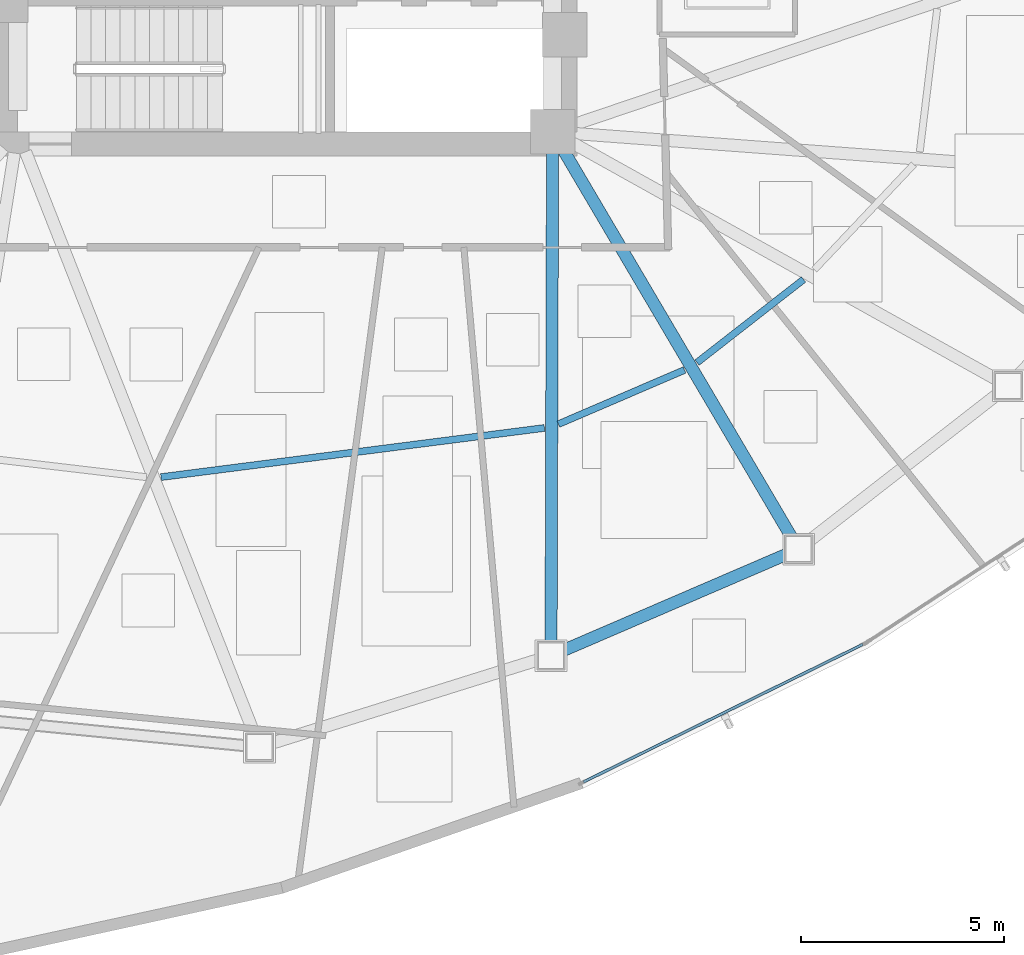
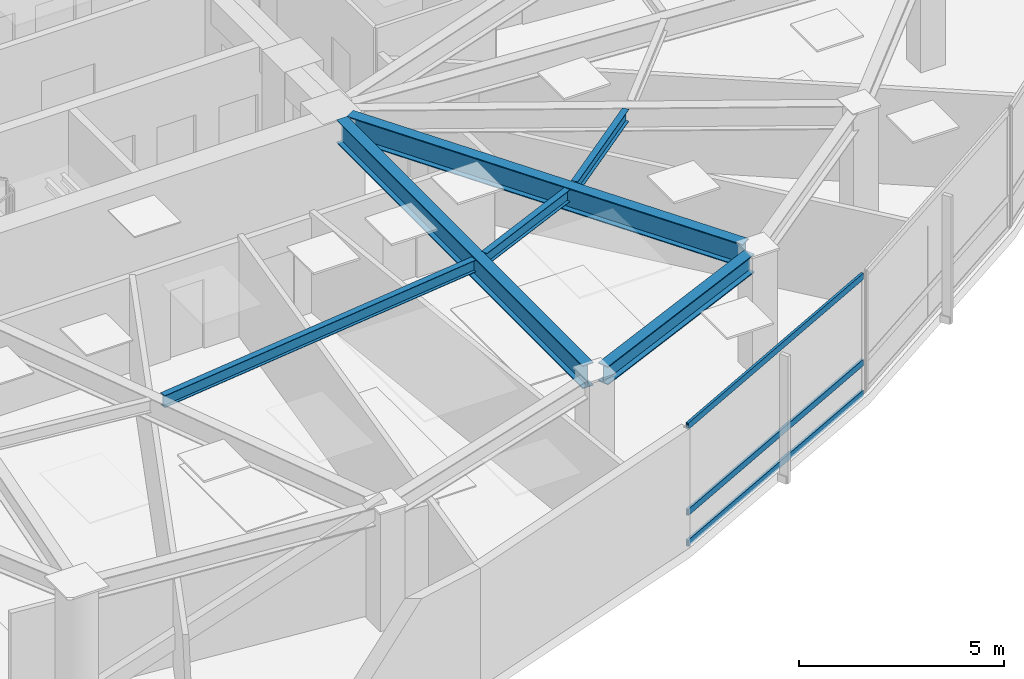
# One storey, part 3 of 18: 6 beams, 3 members, 1 element without a shape of its own.
"""IFC4 building model written with IfcOpenShell, lengths in metres."""

from ifc_helpers import new_model, si_unit, direction, frame, origin, origin_2d, place, context, subcontext, project, spatial, hollow_rectangle, i_section, extrude, source, transform, mapped, material, layer, layer_set, material_profile, profile_set, type_object, type_shapes, element, aggregate, save


model = new_model("IFC4")

# Units and contexts
model_context = context("Model", 3, precision=1e-05, world=origin(), true_north=direction((0.0, 1.0)))
body_context = subcontext(model_context, "Body", "Model", "MODEL_VIEW")
ifc_project = project(units=[si_unit("LENGTHUNIT", "METRE"), si_unit("AREAUNIT", "SQUARE_METRE"), si_unit("VOLUMEUNIT", "CUBIC_METRE"), si_unit("PLANEANGLEUNIT", "RADIAN"), si_unit("MASSUNIT", "GRAM", prefix="KILO")], contexts=[model_context])

# Site, building, storey
site_placement = place(None, origin())
site = spatial("IfcSite", under=ifc_project, at=site_placement, CompositionType="ELEMENT")
building_placement = place(site_placement, origin())
building = spatial("IfcBuilding", under=site, at=building_placement, Name="Tavelor Broadcast Tower", CompositionType="ELEMENT")
storey_placement = place(building_placement, frame((0.0, 0.0, 157.949951171875)))
storey = spatial("IfcBuildingStorey", under=building, at=storey_placement, Name="L37", CompositionType="ELEMENT", Elevation=157.949951171875)

# Beams
ifc_material_1 = material(Name="Steel S355", Category="steel")
ifc_material_profile_1 = material_profile(ifc_material_1, i_section(OverallWidth=0.169921875, OverallDepth=0.360107421875, WebThickness=0.008056640625, FlangeThickness=0.0126953125, at=origin_2d()), Name="IPE 360")
ifc_profile_set_1 = profile_set([ifc_material_profile_1], Name="Steel S355")
beam_type_1 = type_object("IfcBeamType", Name="Composite Floor Joist T3 IPE 360", PredefinedType="JOIST", material=ifc_profile_set_1)
beam_1_placement = place(storey_placement, frame((46.93701171875, 30.280517578125, 3.3701171875), z_axis=(0.991879926303, 0.12717787464, 0.0), x_axis=(-0.12717787464, 0.991879926303, 0.0)))
element("IfcBeam", 1, at=beam_1_placement, inside=storey, type_object=beam_type_1, Name="L37 Secondary Composite Floor Joist 08", PredefinedType="JOIST", context=body_context, shape_type="SweptSolid", body=[
    extrude(i_section(OverallWidth=0.169921875, OverallDepth=0.360107421875, WebThickness=0.008056640625, FlangeThickness=0.0126953125, at=origin_2d()), origin(), (0.0, 0.0, 1.0), 9.538818359375),
])
beam_2_placement = place(storey_placement, frame((56.744384765625, 31.588134765625, 3.3701171875), z_axis=(0.918816463589, 0.394685072225, 0.0), x_axis=(-0.394685072225, 0.918816463589, 0.0)))
element("IfcBeam", 2, at=beam_2_placement, inside=storey, type_object=beam_type_1, Name="L37 Secondary Composite Floor Joist 09", PredefinedType="JOIST", context=body_context, shape_type="SweptSolid", body=[
    extrude(i_section(OverallWidth=0.169921875, OverallDepth=0.360107421875, WebThickness=0.008056640625, FlangeThickness=0.0126953125, at=origin_2d()), origin(), (0.0, 0.0, 1.0), 3.385498046875),
])
beam_3_placement = place(storey_placement, frame((60.163818359375, 33.107177734375, 3.3701171875), z_axis=(0.788471752191, 0.615070968261, 0.0), x_axis=(-0.615070968261, 0.788471752191, 0.0)))
element("IfcBeam", 3, at=beam_3_placement, inside=storey, type_object=beam_type_1, Name="L37 Secondary Composite Floor Joist 10", PredefinedType="JOIST", context=body_context, shape_type="SweptSolid", body=[
    extrude(i_section(OverallWidth=0.169921875, OverallDepth=0.360107421875, WebThickness=0.008056640625, FlangeThickness=0.0126953125, at=origin_2d()), origin(), (0.0, 0.0, 1.0), 3.33251953125),
])
ifc_material_profile_2 = material_profile(ifc_material_1, i_section(OverallWidth=0.300048828125, OverallDepth=0.550048828125, WebThickness=0.014892578125, FlangeThickness=0.029052734375, at=origin_2d()), Name="HEB 550")
ifc_profile_set_2 = profile_set([ifc_material_profile_2], Name="Steel S355")
beam_type_2 = type_object("IfcBeamType", Name="Perimeter Spandrel Beam T3 HEB 550", PredefinedType="SPANDREL", material=ifc_profile_set_2)
beam_4_placement = place(storey_placement, frame((56.86962890625, 26.005615234375, 3.275146484375), z_axis=(0.918448679011, 0.395540167396, 0.0), x_axis=(-0.395540167396, 0.918448679011, 0.0)))
element("IfcBeam", 4, at=beam_4_placement, inside=storey, type_object=beam_type_2, Name="L37 Framed-Tube Ring Spandrel 09", PredefinedType="SPANDREL", context=body_context, shape_type="SweptSolid", body=[
    extrude(i_section(OverallWidth=0.300048828125, OverallDepth=0.550048828125, WebThickness=0.014892578125, FlangeThickness=0.029052734375, at=origin_2d()), origin(), (0.0, 0.0, 1.0), 5.978515625),
])
ifc_material_profile_3 = material_profile(ifc_material_1, i_section(OverallWidth=0.300048828125, OverallDepth=0.68994140625, WebThickness=0.014404296875, FlangeThickness=0.027099609375, at=origin_2d()), Name="HEA 700")
ifc_profile_set_3 = profile_set([ifc_material_profile_3], Name="Steel S355")
beam_type_3 = type_object("IfcBeamType", Name="Radial Floor Girder T3 HEA 700", PredefinedType="BEAM", material=ifc_profile_set_3)
beam_5_placement = place(storey_placement, frame((56.598388671875, 38.27197265625, 3.205078125), z_axis=(-0.003015509149, -0.999995453342, 0.0), x_axis=(0.999995453342, -0.003015509149, 0.0)))
element("IfcBeam", 5, at=beam_5_placement, inside=storey, type_object=beam_type_3, Name="L37 Radial Primary Floor Girder 09", PredefinedType="BEAM", context=body_context, shape_type="SweptSolid", body=[
    extrude(i_section(OverallWidth=0.300048828125, OverallDepth=0.68994140625, WebThickness=0.014404296875, FlangeThickness=0.027099609375, at=origin_2d()), origin(), (0.0, 0.0, 1.0), 12.063232421875),
])
beam_6_placement = place(storey_placement, frame((56.8681640625, 38.34521484375, 3.205078125), z_axis=(0.507774310592, -0.861490133143, 0.0), x_axis=(0.861490133143, 0.507774310592, 0.0)))
element("IfcBeam", 6, at=beam_6_placement, inside=storey, type_object=beam_type_3, Name="L37 Radial Primary Floor Girder 10", PredefinedType="BEAM", context=body_context, shape_type="SweptSolid", body=[
    extrude(i_section(OverallWidth=0.300048828125, OverallDepth=0.68994140625, WebThickness=0.014404296875, FlangeThickness=0.027099609375, at=origin_2d()), origin(), (0.0, 0.0, 1.0), 11.08837890625),
])

# Curtain wall, members
ifc_material_2 = material(Name="Architectural Anodized Aluminium", Category="aluminium")
ifc_layer = layer(ifc_material_2, 0.18994140625)
ifc_layer_set = layer_set([ifc_layer], Name="Architectural Anodized Aluminium")
curtain_wall_type = type_object("IfcCurtainWallType", Name="Tower Mid-Zone Acoustic Curtain Wall CW03", PredefinedType="NOTDEFINED", material=ifc_layer_set)
curtain_wall_placement = place(storey_placement, origin())
curtain_wall = element("IfcCurtainWall", 7, at=curtain_wall_placement, inside=storey, type_object=curtain_wall_type, Name="L37 Curtain Wall CW03 Run 389", PredefinedType="NOTDEFINED")
ifc_material_profile_4 = material_profile(ifc_material_2, hollow_rectangle(XDim=0.068115234375, YDim=0.18994140625, WallThickness=0.02197265625, at=origin_2d()), Name="RHS 68x190x22")
ifc_profile_set_4 = profile_set([ifc_material_profile_4], Name="Architectural Anodized Aluminium")
member_type = type_object("IfcMemberType", Name="CW03 Extruded Aluminium Transom 68x190", PredefinedType="USERDEFINED", material=ifc_profile_set_4)
shared_shape = source(origin(), body_context, "Body", "SweptSolid", [
    extrude(hollow_rectangle(XDim=0.068115234375, YDim=0.18994140625, WallThickness=0.02197265625, at=origin_2d()), origin(), (0.0, 0.0, 1.0), 7.683349609375),
])
type_shapes(member_type, [shared_shape])
member_1_placement = place(storey_placement, frame((57.362060546875, 22.7578125, 0.033935546875), z_axis=(0.897067790521, 0.441892949943, 0.0), x_axis=(-0.441892949943, 0.897067790521, 0.0)))
member_1 = element("IfcMember", 8, at=member_1_placement, type_object=member_type, Name="CW03 transom 1.1", ObjectType="TRANSOM", PredefinedType="USERDEFINED", context=body_context, shape_type="MappedRepresentation", body=[
    mapped(shared_shape, transform((0.0, 0.0, 0.0), scale=1.0)),
])
member_2_placement = place(storey_placement, frame((57.362060546875, 22.7578125, 0.949951171875), z_axis=(0.897067790521, 0.441892949943, 0.0), x_axis=(-0.441892949943, 0.897067790521, 0.0)))
member_2 = element("IfcMember", 9, at=member_2_placement, type_object=member_type, Name="CW03 transom 1.2", ObjectType="TRANSOM", PredefinedType="USERDEFINED", context=body_context, shape_type="MappedRepresentation", body=[
    mapped(shared_shape, transform((0.0, 0.0, 0.0), scale=1.0)),
])
member_3_placement = place(storey_placement, frame((57.362060546875, 22.7578125, 3.51611328125), z_axis=(0.897067790521, 0.441892949943, 0.0), x_axis=(-0.441892949943, 0.897067790521, 0.0)))
member_3 = element("IfcMember", 10, at=member_3_placement, type_object=member_type, Name="CW03 transom 1.3", ObjectType="TRANSOM", PredefinedType="USERDEFINED", context=body_context, shape_type="MappedRepresentation", body=[
    mapped(shared_shape, transform((0.0, 0.0, 0.0), scale=1.0)),
])
aggregate(curtain_wall, [member_1, member_2, member_3])

save(model, "model.ifc")
